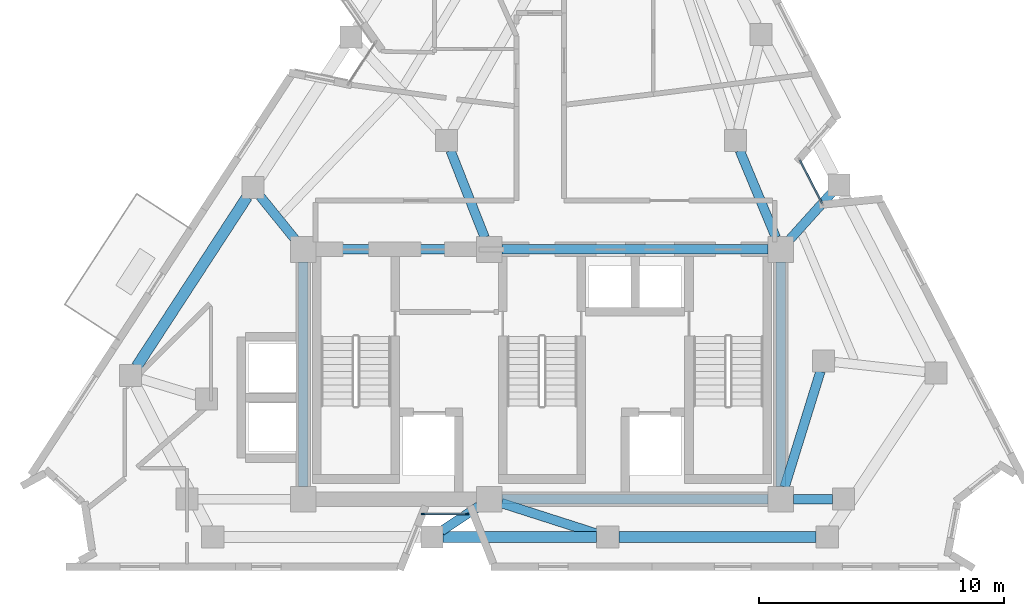
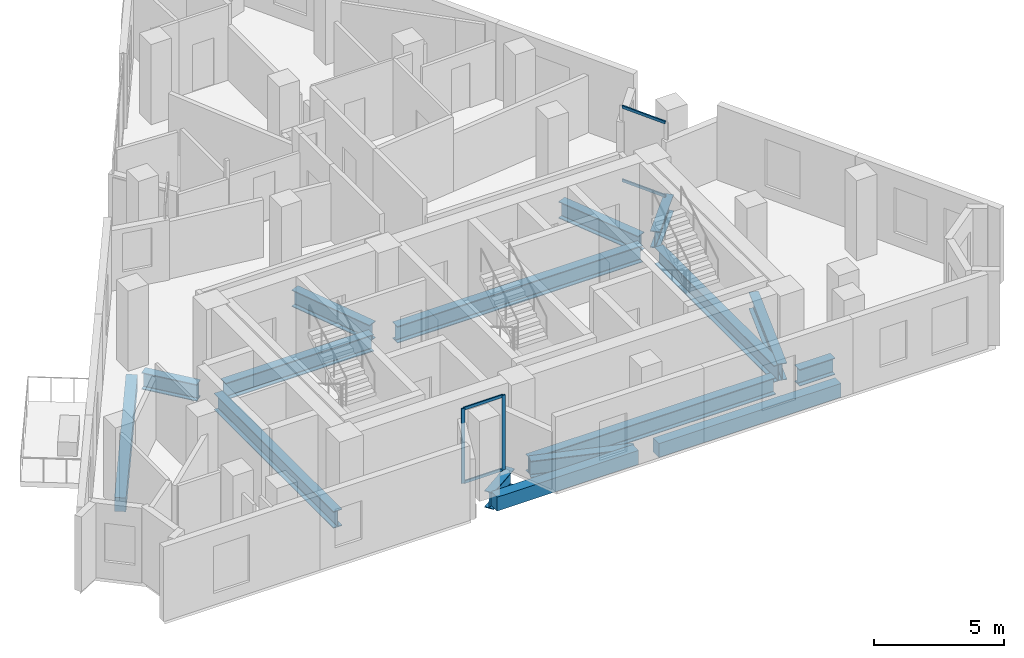
# One storey, part 2 of 11: 16 beams, 6 members, 2 elements without a shape of their own.
"""IFC4 building model written with IfcOpenShell, lengths in metres."""

import ifcopenshell
import ifcopenshell.guid

model = None  # the IFC model being written
_history = None  # IfcOwnerHistory: only IFC2X3 demands one
_inside = {}  # id of a spatial element -> (the spatial element, [elements in it])
_under = {}  # id of a project, library or spatial element -> (it, [spatial elements below it])
_declared = {}  # id of a project -> (the project, [libraries it declares])
_typed = {}  # id of a type object -> (the type object, [elements of that type])
_made_of = {}  # id of a material, layer set ... -> (it, [elements and type objects made of it])


def new_model(schema):
    """Start an empty IFC model of exactly this schema.

    Asked for "IFC4X3", IfcOpenShell would pick the latest addendum, in which some entities
    have other attributes; the version numbers below select the first issue.
    IFC2X3 requires an IfcOwnerHistory on every rooted entity: one is made here for all.
    """
    global model, _history
    if schema == "IFC4X3":
        model = ifcopenshell.file(schema_version=(4, 3, 0, 0))
    else:
        model = ifcopenshell.file(schema=schema)
    _inside.clear()
    _under.clear()
    _declared.clear()
    _typed.clear()
    _made_of.clear()
    _history = None
    if model.schema == "IFC2X3":
        org = make("IfcOrganization", Name="unknown")
        user = make(
            "IfcPersonAndOrganization",
            ThePerson=make("IfcPerson", FamilyName="unknown"),
            TheOrganization=org,
        )
        app = make(
            "IfcApplication",
            ApplicationDeveloper=org,
            Version="unknown",
            ApplicationFullName="unknown",
            ApplicationIdentifier="unknown",
        )
        _history = make(
            "IfcOwnerHistory",
            OwningUser=user,
            OwningApplication=app,
            ChangeAction="ADDED",
            CreationDate=0,
        )
    return model


def make(cls, **values):
    """One entity of the class cls with the attributes given. An attribute that is None is left unset."""
    return model.create_entity(
        cls, **{name: value for name, value in values.items() if value is not None}
    )


def rooted(cls, **values):
    """An entity with a GlobalId (a new one), such as an element, a storey or a relation."""
    return make(cls, GlobalId=ifcopenshell.guid.new(), OwnerHistory=_history, **values)


def si_unit(unit_type, name, prefix=None):
    """IfcSIUnit, for example si_unit("LENGTHUNIT", "METRE", prefix="MILLI")."""
    return make("IfcSIUnit", UnitType=unit_type, Prefix=prefix, Name=name)


def assignment(units):
    """IfcUnitAssignment: the units of a project."""
    return None if units is None else make("IfcUnitAssignment", Units=units)


def point(xyz):
    """IfcCartesianPoint."""
    return None if xyz is None else make("IfcCartesianPoint", Coordinates=xyz)


def direction(xyz):
    """IfcDirection."""
    return None if xyz is None else make("IfcDirection", DirectionRatios=xyz)


def frame(location, z_axis=None, x_axis=None):
    """IfcAxis2Placement3D, a coordinate frame: its origin and axes. An axis left out is left unset."""
    return make(
        "IfcAxis2Placement3D",
        Location=point(location),
        Axis=direction(z_axis),
        RefDirection=direction(x_axis),
    )


def frame_2d(location, x_axis=None):
    """IfcAxis2Placement2D, a coordinate frame in the plane: its origin and x axis."""
    return make(
        "IfcAxis2Placement2D", Location=point(location), RefDirection=direction(x_axis)
    )


def origin():
    """The frame at (0, 0, 0) with its axes left unset."""
    return frame((0.0, 0.0, 0.0))


def origin_2d():
    """The frame at (0, 0) in the plane with its x axis left unset."""
    return frame_2d((0.0, 0.0))


def place(relative_to, where):
    """IfcLocalPlacement: puts the frame where relative to a parent placement (None: the world)."""
    return make(
        "IfcLocalPlacement", PlacementRelTo=relative_to, RelativePlacement=where
    )


def context(
    kind, dimensions, precision=None, world=None, true_north=None, identifier=None
):
    """IfcGeometricRepresentationContext, for example the 3D "Model" context."""
    return make(
        "IfcGeometricRepresentationContext",
        ContextIdentifier=identifier,
        ContextType=kind,
        CoordinateSpaceDimension=dimensions,
        Precision=precision,
        WorldCoordinateSystem=world,
        TrueNorth=true_north,
    )


def subcontext(parent, identifier, kind, view, scale=None):
    """IfcGeometricRepresentationSubContext, for example "Body" below "Model"."""
    return make(
        "IfcGeometricRepresentationSubContext",
        ContextIdentifier=identifier,
        ContextType=kind,
        ParentContext=parent,
        TargetScale=scale,
        TargetView=view,
    )


def project(units=None, contexts=None):
    """IfcProject with its units and contexts."""
    return rooted(
        "IfcProject",
        Name="project",
        RepresentationContexts=contexts,
        UnitsInContext=assignment(units),
    )


def spatial(cls, under=None, at=None, **own):
    """A site, building, storey or space (cls), placed at a placement, below another one or the project."""
    s = rooted(cls, ObjectPlacement=at, **own)
    if under is not None:
        _under.setdefault(under.id(), (under, []))[1].append(s)
    return s


def profile(cls, at=None, kind="AREA", **sizes):
    """A parametric profile (cls). Its sizes go by their IFC names, for example OverallWidth=200.0."""
    return make(cls, ProfileType=kind, Position=at, **sizes)


def rectangle(**sizes):
    """IfcRectangleProfileDef."""
    return profile("IfcRectangleProfileDef", **sizes)


def i_section(**sizes):
    """IfcIShapeProfileDef."""
    return profile("IfcIShapeProfileDef", **sizes)


def extrude(swept, where, along, depth):
    """IfcExtrudedAreaSolid: the profile swept, set in the frame where, extruded along a direction by depth."""
    return make(
        "IfcExtrudedAreaSolid",
        SweptArea=swept,
        Position=where,
        ExtrudedDirection=direction(along),
        Depth=depth,
    )


def shape(context_of_items, identifier, shape_type, items):
    """IfcShapeRepresentation: the items that make up one representation, for example the "Body"."""
    return make(
        "IfcShapeRepresentation",
        ContextOfItems=context_of_items,
        RepresentationIdentifier=identifier,
        RepresentationType=shape_type,
        Items=items,
    )


def material(Name=None, Category=None):
    """IfcMaterial."""
    return make("IfcMaterial", Name=Name, Category=Category)


def layer(
    of_material, thickness, ventilated=None, Name=None, Category=None, Priority=None
):
    """IfcMaterialLayer: one layer of a wall or slab, of a material (None: an air gap)."""
    return make(
        "IfcMaterialLayer",
        Material=of_material,
        LayerThickness=thickness,
        IsVentilated=ventilated,
        Name=Name,
        Category=Category,
        Priority=Priority,
    )


def layer_set(layers, Name=None):
    """IfcMaterialLayerSet."""
    return make("IfcMaterialLayerSet", MaterialLayers=layers, LayerSetName=Name)


def material_profile(
    of_material, cross_section, Name=None, Category=None, Priority=None
):
    """IfcMaterialProfile: a cross section and its material."""
    return make(
        "IfcMaterialProfile",
        Name=Name,
        Material=of_material,
        Profile=cross_section,
        Priority=Priority,
        Category=Category,
    )


def profile_set(profiles, Name=None, composite=None):
    """IfcMaterialProfileSet."""
    return make(
        "IfcMaterialProfileSet",
        Name=Name,
        MaterialProfiles=profiles,
        CompositeProfile=composite,
    )


def made_of(thing, what):
    """Note that an element or type object is made of a material, layer set ...; save() writes the relation."""
    if what is not None:
        _made_of.setdefault(what.id(), (what, []))[1].append(thing)
    return thing


def type_object(cls, material=None, **own):
    """A type object (cls), such as IfcWallType, which elements share."""
    return made_of(rooted(cls, **own), material)


def element(
    cls,
    number,
    at=None,
    inside=None,
    cuts=None,
    type_object=None,
    material=None,
    context=None,
    identifier="Body",
    shape_type=None,
    held_by="IfcProductDefinitionShape",
    body=None,
    shapes=None,
    **own,
):
    """One element of the class cls, such as IfcWall. Its Tag is "e" and its number.

    at: its placement. inside: the storey or other place that contains it. cuts: it is an
    opening in that element (IfcRelVoidsElement). A single representation is given by context,
    identifier, shape_type and body (its items); several are given by shapes. held_by: the class
    of the entity that holds the representations. save() writes the other relations.
    """
    e = rooted(cls, Tag="e%d" % number, ObjectPlacement=at, **own)
    if body is not None:
        shapes = [shape(context, identifier, shape_type, body)]
    if shapes is not None:
        e.Representation = make(held_by, Representations=shapes)
    if inside is not None:
        _inside.setdefault(inside.id(), (inside, []))[1].append(e)
    if cuts is not None:
        rooted(
            "IfcRelVoidsElement", RelatingBuildingElement=cuts, RelatedOpeningElement=e
        )
    if type_object is not None:
        _typed.setdefault(type_object.id(), (type_object, []))[1].append(e)
    return made_of(e, material)


def aggregate(whole, parts):
    """IfcRelAggregates: a whole, such as a stair, and the parts it consists of."""
    return rooted("IfcRelAggregates", RelatingObject=whole, RelatedObjects=parts)


def save(model, path):
    """Write the relations noted so far, then the file.

    IfcRelAggregates (storeys below a building ...), IfcRelContainedInSpatialStructure (elements
    in a storey), IfcRelDefinesByType, IfcRelAssociatesMaterial and IfcRelDeclares: one each for
    every whole, place, type object, material and project.
    """
    for whole, parts in _under.values():
        aggregate(whole, parts)
    for where, things in _inside.values():
        rooted(
            "IfcRelContainedInSpatialStructure",
            RelatedElements=things,
            RelatingStructure=where,
        )
    for kind, things in _typed.values():
        rooted("IfcRelDefinesByType", RelatedObjects=things, RelatingType=kind)
    for what, things in _made_of.values():
        rooted("IfcRelAssociatesMaterial", RelatedObjects=things, RelatingMaterial=what)
    for by, libraries in _declared.values():
        rooted("IfcRelDeclares", RelatingContext=by, RelatedDefinitions=libraries)
    model.write(path)


model = new_model("IFC4")

# Units and contexts
model_context = context("Model", 3, precision=1e-05, world=origin(), true_north=direction((0.0, 1.0)))
body_context = subcontext(model_context, "Body", "Model", "MODEL_VIEW")
ifc_project = project(units=[si_unit("LENGTHUNIT", "METRE"), si_unit("AREAUNIT", "SQUARE_METRE"), si_unit("VOLUMEUNIT", "CUBIC_METRE"), si_unit("PLANEANGLEUNIT", "RADIAN"), si_unit("MASSUNIT", "GRAM", prefix="KILO")], contexts=[model_context])

# Site, building, storey
site_placement = place(None, origin())
site = spatial("IfcSite", under=ifc_project, at=site_placement, CompositionType="ELEMENT")
building_placement = place(site_placement, origin())
building = spatial("IfcBuilding", under=site, at=building_placement, Name="Almagre Mirador Tower", CompositionType="ELEMENT")
storey_placement = place(building_placement, frame((0.0, 0.0, 218.25)))
storey = spatial("IfcBuildingStorey", under=building, at=storey_placement, Name="L56", CompositionType="ELEMENT", Elevation=218.25)

# Beams
ifc_material_1 = material(Name="Precast concrete C50/60", Category="concrete")
ifc_material_profile_1 = material_profile(ifc_material_1, rectangle(XDim=0.449951171875, YDim=0.64990234375, at=origin_2d()), Name="RC450X650")
ifc_profile_set_1 = profile_set([ifc_material_profile_1], Name="Precast concrete C50/60")
beam_type_1 = type_object("IfcBeamType", Name="BM-SPN-RC450X650", PredefinedType="SPANDREL", material=ifc_profile_set_1)
beam_1_placement = place(storey_placement, frame((33.26611328125, 3.0, -0.574951171875), z_axis=(1.0, 0.0, 0.0), x_axis=(0.0, 1.0, 0.0)))
element("IfcBeam", 1, at=beam_1_placement, inside=storey, type_object=beam_type_1, Name="L56 perimeter spandrel beam PC02-PC03", PredefinedType="SPANDREL", context=body_context, shape_type="SweptSolid", body=[
    extrude(rectangle(XDim=0.449951171875, YDim=0.64990234375, at=origin_2d()), origin(), (0.0, 0.0, 1.0), 6.267822265625),
])
beam_2_placement = place(storey_placement, frame((40.43408203125, 3.0, -0.574951171875), z_axis=(1.0, 0.0, 0.0), x_axis=(0.0, 1.0, 0.0)))
element("IfcBeam", 2, at=beam_2_placement, inside=storey, type_object=beam_type_1, Name="L56 perimeter spandrel beam PC03-PC04", PredefinedType="SPANDREL", context=body_context, shape_type="SweptSolid", body=[
    extrude(rectangle(XDim=0.449951171875, YDim=0.64990234375, at=origin_2d()), origin(), (0.0, 0.0, 1.0), 8.059814453125),
])
beam_3_placement = place(storey_placement, frame((25.260498046875, 16.89599609375, -0.574951171875), z_axis=(-0.545607073801, -0.838041121317, 0.0), x_axis=(0.838041121317, -0.545607073801, 0.0)))
element("IfcBeam", 3, at=beam_3_placement, inside=storey, type_object=beam_type_1, Name="L56 perimeter spandrel beam PC11-PC12", PredefinedType="SPANDREL", context=body_context, shape_type="SweptSolid", body=[
    extrude(rectangle(XDim=0.449951171875, YDim=0.64990234375, at=origin_2d()), origin(), (0.0, 0.0, 1.0), 8.26416015625),
])
ifc_material_2 = material(Name="Steel ASTM A992 Grade 50", Category="steel")
ifc_material_profile_2 = material_profile(ifc_material_2, i_section(OverallWidth=0.384033203125, OverallDepth=0.784912109375, WebThickness=0.019775390625, FlangeThickness=0.033447265625, FilletRadius=0.02392578125, at=origin_2d()), Name="W30X211")
ifc_profile_set_2 = profile_set([ifc_material_profile_2], Name="Steel ASTM A992 Grade 50")
beam_type_2 = type_object("IfcBeamType", Name="BM-STL-W30X211", PredefinedType="BEAM", material=ifc_profile_set_2)
beam_4_placement = place(storey_placement, frame((35.675048828125, 4.550048828125, -0.642578125), z_axis=(1.0, 0.0, 0.0), x_axis=(0.0, 1.0, 0.0)))
element("IfcBeam", 4, at=beam_4_placement, inside=storey, type_object=beam_type_2, Name="L56 core tie girder CC2-CC3", PredefinedType="BEAM", context=body_context, shape_type="SweptSolid", body=[
    extrude(i_section(OverallWidth=0.384033203125, OverallDepth=0.784912109375, WebThickness=0.019775390625, FlangeThickness=0.033447265625, FilletRadius=0.02392578125, at=origin_2d()), origin(), (0.0, 0.0, 1.0), 10.849853515625),
])
beam_5_placement = place(storey_placement, frame((28.074951171875, 14.75, -0.642578125), z_axis=(1.0, 0.0, 0.0), x_axis=(0.0, 1.0, 0.0)))
element("IfcBeam", 5, at=beam_5_placement, inside=storey, type_object=beam_type_2, Name="L56 core tie girder CC4-CC5", PredefinedType="BEAM", context=body_context, shape_type="SweptSolid", body=[
    extrude(i_section(OverallWidth=0.384033203125, OverallDepth=0.784912109375, WebThickness=0.019775390625, FlangeThickness=0.033447265625, FilletRadius=0.02392578125, at=origin_2d()), origin(), (0.0, 0.0, 1.0), 6.550048828125),
])
beam_6_placement = place(storey_placement, frame((35.675048828125, 14.75, -0.642578125), z_axis=(1.0, 0.0, 0.0), x_axis=(0.0, 1.0, 0.0)))
element("IfcBeam", 6, at=beam_6_placement, inside=storey, type_object=beam_type_2, Name="L56 core tie girder CC5-CC6", PredefinedType="BEAM", context=body_context, shape_type="SweptSolid", body=[
    extrude(i_section(OverallWidth=0.384033203125, OverallDepth=0.784912109375, WebThickness=0.019775390625, FlangeThickness=0.033447265625, FilletRadius=0.02392578125, at=origin_2d()), origin(), (0.0, 0.0, 1.0), 10.849853515625),
])
for number, where, z_axis, x_axis, name in (
    (7, (27.550048828125, 5.074951171875, -0.642578125), (0.0, 1.0, 0.0), (-1.0, 0.0, 0.0), "L56 core tie girder CC1-CC4"),
    (8, (47.050048828125, 5.074951171875, -0.642578125), (0.0, 1.0, 0.0), (-1.0, 0.0, 0.0), "L56 core tie girder CC3-CC6"),
):
    element("IfcBeam", number, at=place(storey_placement, frame(where, z_axis=z_axis, x_axis=x_axis)), inside=storey, type_object=beam_type_2, Name=name, PredefinedType="BEAM", context=body_context, shape_type="SweptSolid", body=[
        extrude(i_section(OverallWidth=0.384033203125, OverallDepth=0.784912109375, WebThickness=0.019775390625, FlangeThickness=0.033447265625, FilletRadius=0.02392578125, at=origin_2d()), origin(), (0.0, 0.0, 1.0), 9.150146484375),
    ])
beam_7_placement = place(storey_placement, frame((49.14990234375, 4.550048828125, -0.642578125), z_axis=(-1.0, 0.0, 0.0), x_axis=(0.0, -1.0, 0.0)))
element("IfcBeam", 9, at=beam_7_placement, inside=storey, type_object=beam_type_2, Name="L56 core tie girder MC2-CC3", PredefinedType="BEAM", context=body_context, shape_type="SweptSolid", body=[
    extrude(i_section(OverallWidth=0.384033203125, OverallDepth=0.784912109375, WebThickness=0.019775390625, FlangeThickness=0.033447265625, FilletRadius=0.02392578125, at=origin_2d()), origin(), (0.0, 0.0, 1.0), 1.574951171875),
])
beam_8_placement = place(storey_placement, frame((48.6669921875, 9.77001953125, -0.642578125), z_axis=(-0.295901717967, -0.955218390372, 0.0), x_axis=(0.955218390372, -0.295901717967, 0.0)))
element("IfcBeam", 10, at=beam_8_placement, inside=storey, type_object=beam_type_2, Name="L56 core tie girder MC3-CC3", PredefinedType="BEAM", context=body_context, shape_type="SweptSolid", body=[
    extrude(i_section(OverallWidth=0.384033203125, OverallDepth=0.784912109375, WebThickness=0.019775390625, FlangeThickness=0.033447265625, FilletRadius=0.02392578125, at=origin_2d()), origin(), (0.0, 0.0, 1.0), 4.939697265625),
])
beam_9_placement = place(storey_placement, frame((45.372802734375, 18.784423828125, -0.642578125), z_axis=(0.383862140668, -0.923390414159, 0.0), x_axis=(0.923390414159, 0.383862140668, 0.0)))
element("IfcBeam", 11, at=beam_9_placement, inside=storey, type_object=beam_type_2, Name="L56 core tie girder MC5-CC6", PredefinedType="BEAM", context=body_context, shape_type="SweptSolid", body=[
    extrude(i_section(OverallWidth=0.384033203125, OverallDepth=0.784912109375, WebThickness=0.019775390625, FlangeThickness=0.033447265625, FilletRadius=0.02392578125, at=origin_2d()), origin(), (0.0, 0.0, 1.0), 3.843994140625),
])
beam_10_placement = place(storey_placement, frame((33.564697265625, 18.78125, -0.642578125), z_axis=(0.365999579355, -0.93061501595, 0.0), x_axis=(0.93061501595, 0.365999579355, 0.0)))
element("IfcBeam", 12, at=beam_10_placement, inside=storey, type_object=beam_type_2, Name="L56 core tie girder MC8-CC5", PredefinedType="BEAM", context=body_context, shape_type="SweptSolid", body=[
    extrude(i_section(OverallWidth=0.384033203125, OverallDepth=0.784912109375, WebThickness=0.019775390625, FlangeThickness=0.033447265625, FilletRadius=0.02392578125, at=origin_2d()), origin(), (0.0, 0.0, 1.0), 3.806884765625),
])
beam_11_placement = place(storey_placement, frame((33.19091796875, 3.248779296875, -0.642578125), z_axis=(0.832994863914, 0.553280721419, 0.0), x_axis=(-0.553280721419, 0.832994863914, 0.0)))
element("IfcBeam", 13, at=beam_11_placement, inside=storey, type_object=beam_type_2, Name="L56 radial floor girder PC02-CC2", PredefinedType="BEAM", context=body_context, shape_type="SweptSolid", body=[
    extrude(i_section(OverallWidth=0.384033203125, OverallDepth=0.784912109375, WebThickness=0.019775390625, FlangeThickness=0.033447265625, FilletRadius=0.02392578125, at=origin_2d()), origin(), (0.0, 0.0, 1.0), 1.826904296875),
])
beam_12_placement = place(storey_placement, frame((39.555419921875, 3.137451171875, -0.642578125), z_axis=(-0.952251894345, 0.305313494161, 0.0), x_axis=(-0.305313494161, -0.952251894345, 0.0)))
element("IfcBeam", 14, at=beam_12_placement, inside=storey, type_object=beam_type_2, Name="L56 radial floor girder PC03-CC2", PredefinedType="BEAM", context=body_context, shape_type="SweptSolid", body=[
    extrude(i_section(OverallWidth=0.384033203125, OverallDepth=0.784912109375, WebThickness=0.019775390625, FlangeThickness=0.033447265625, FilletRadius=0.02392578125, at=origin_2d()), origin(), (0.0, 0.0, 1.0), 4.101318359375),
])
beam_13_placement = place(storey_placement, frame((49.11572265625, 17.043701171875, -0.642578125), z_axis=(-0.66921216439, -0.743071382192, 0.0), x_axis=(0.743071382192, -0.66921216439, 0.0)))
element("IfcBeam", 15, at=beam_13_placement, inside=storey, type_object=beam_type_2, Name="L56 radial floor girder PC06-CC6", PredefinedType="BEAM", context=body_context, shape_type="SweptSolid", body=[
    extrude(i_section(OverallWidth=0.384033203125, OverallDepth=0.784912109375, WebThickness=0.019775390625, FlangeThickness=0.033447265625, FilletRadius=0.02392578125, at=origin_2d()), origin(), (0.0, 0.0, 1.0), 2.561767578125),
])
beam_14_placement = place(storey_placement, frame((25.789306640625, 16.92333984375, -0.642578125), z_axis=(0.629479487661, -0.777017100593, 0.0), x_axis=(0.777017100593, 0.629479487661, 0.0)))
element("IfcBeam", 16, at=beam_14_placement, inside=storey, type_object=beam_type_2, Name="L56 radial floor girder PC11-CC4", PredefinedType="BEAM", context=body_context, shape_type="SweptSolid", body=[
    extrude(i_section(OverallWidth=0.384033203125, OverallDepth=0.784912109375, WebThickness=0.019775390625, FlangeThickness=0.033447265625, FilletRadius=0.02392578125, at=origin_2d()), origin(), (0.0, 0.0, 1.0), 2.27197265625),
])

# Curtain wall, members
ifc_material_3 = material(Name="Black anodized aluminium", Category="aluminium")
ifc_layer = layer(ifc_material_3, 0.169921875)
ifc_layer_set = layer_set([ifc_layer], Name="Black anodized aluminium")
curtain_wall_type = type_object("IfcCurtainWallType", Name="CW-CRS-SYS", PredefinedType="NOTDEFINED", material=ifc_layer_set)
curtain_wall_1_placement = place(storey_placement, origin())
curtain_wall_1 = element("IfcCurtainWall", 17, at=curtain_wall_1_placement, inside=storey, type_object=curtain_wall_type, Name="L56 vertical crease curtain wall 04", PredefinedType="NOTDEFINED")
ifc_material_4 = material(Name="Black anodized aluminium", Category="aluminium")
ifc_material_profile_3 = material_profile(ifc_material_4, rectangle(XDim=0.06005859375, YDim=0.14990234375, at=origin_2d()), Name="CWM60X150")
ifc_profile_set_3 = profile_set([ifc_material_profile_3], Name="Black anodized aluminium")
member_type_1 = type_object("IfcMemberType", Name="MBR-CWM60X150", PredefinedType="MULLION", material=ifc_profile_set_3)
member_1_placement = place(storey_placement, frame((34.235107421875, 3.949951171875, 0.0), z_axis=(0.0, 0.0, 1.0), x_axis=(0.0, -1.0, 0.0)))
member_1 = element("IfcMember", 18, at=member_1_placement, type_object=member_type_1, Name="CW-4 mullion 1", PredefinedType="MULLION", context=body_context, shape_type="SweptSolid", body=[
    extrude(rectangle(XDim=0.06005859375, YDim=0.14990234375, at=origin_2d()), origin(), (0.0, 0.0, 1.0), 3.5),
])
member_2_placement = place(storey_placement, frame((32.44091796875, 3.949951171875, 0.0), z_axis=(0.0, 0.0, 1.0), x_axis=(0.0, -1.0, 0.0)))
member_2 = element("IfcMember", 19, at=member_2_placement, type_object=member_type_1, Name="CW-4 mullion 2", PredefinedType="MULLION", context=body_context, shape_type="SweptSolid", body=[
    extrude(rectangle(XDim=0.06005859375, YDim=0.14990234375, at=origin_2d()), origin(), (0.0, 0.0, 1.0), 3.5),
])

curtain_wall_2_placement = place(storey_placement, origin())
curtain_wall_2 = element("IfcCurtainWall", 20, at=curtain_wall_2_placement, inside=storey, type_object=curtain_wall_type, Name="L56 vertical crease curtain wall 03", PredefinedType="NOTDEFINED")
ifc_material_5 = material(Name="Black anodized aluminium", Category="aluminium")
ifc_material_profile_4 = material_profile(ifc_material_5, rectangle(XDim=0.06005859375, YDim=0.1298828125, at=origin_2d()), Name="CWT60X130")
ifc_profile_set_4 = profile_set([ifc_material_profile_4], Name="Black anodized aluminium")
member_type_2 = type_object("IfcMemberType", Name="MBR-CWT60X130", PredefinedType="USERDEFINED", material=ifc_profile_set_4)
member_3_placement = place(storey_placement, frame((47.82861328125, 18.38671875, 0.030029296875), z_axis=(0.458383991091, -0.888754249898, 0.0), x_axis=(0.888754249898, 0.458383991091, 0.0)))
member_3 = element("IfcMember", 21, at=member_3_placement, type_object=member_type_2, Name="CW-4 transom 1.1", ObjectType="TRANSOM", PredefinedType="USERDEFINED", context=body_context, shape_type="SweptSolid", body=[
    extrude(rectangle(XDim=0.06005859375, YDim=0.1298828125, at=origin_2d()), origin(), (0.0, 0.0, 1.0), 1.969482421875),
])
member_4_placement = place(storey_placement, frame((47.82861328125, 18.38671875, 3.469970703125), z_axis=(0.458383991091, -0.888754249898, 0.0), x_axis=(0.888754249898, 0.458383991091, 0.0)))
member_4 = element("IfcMember", 22, at=member_4_placement, type_object=member_type_2, Name="CW-4 transom 1.2", ObjectType="TRANSOM", PredefinedType="USERDEFINED", context=body_context, shape_type="SweptSolid", body=[
    extrude(rectangle(XDim=0.06005859375, YDim=0.1298828125, at=origin_2d()), origin(), (0.0, 0.0, 1.0), 1.969482421875),
])
aggregate(curtain_wall_2, [member_3, member_4])

# Member
member_5_placement = place(storey_placement, frame((34.205078125, 3.949951171875, 0.030029296875), z_axis=(-1.0, 0.0, 0.0), x_axis=(0.0, -1.0, 0.0)))
member_5 = element("IfcMember", 23, at=member_5_placement, type_object=member_type_2, Name="CW-4 transom 1.1", ObjectType="TRANSOM", PredefinedType="USERDEFINED", context=body_context, shape_type="SweptSolid", body=[
    extrude(rectangle(XDim=0.06005859375, YDim=0.1298828125, at=origin_2d()), origin(), (0.0, 0.0, 1.0), 1.734130859375),
])

member_6_placement = place(storey_placement, frame((34.205078125, 3.949951171875, 3.469970703125), z_axis=(-1.0, 0.0, 0.0), x_axis=(0.0, -1.0, 0.0)))
member_6 = element("IfcMember", 24, at=member_6_placement, type_object=member_type_2, Name="CW-4 transom 1.2", ObjectType="TRANSOM", PredefinedType="USERDEFINED", context=body_context, shape_type="SweptSolid", body=[
    extrude(rectangle(XDim=0.06005859375, YDim=0.1298828125, at=origin_2d()), origin(), (0.0, 0.0, 1.0), 1.734130859375),
])

aggregate(curtain_wall_1, [member_1, member_2, member_5, member_6])

save(model, "model.ifc")
